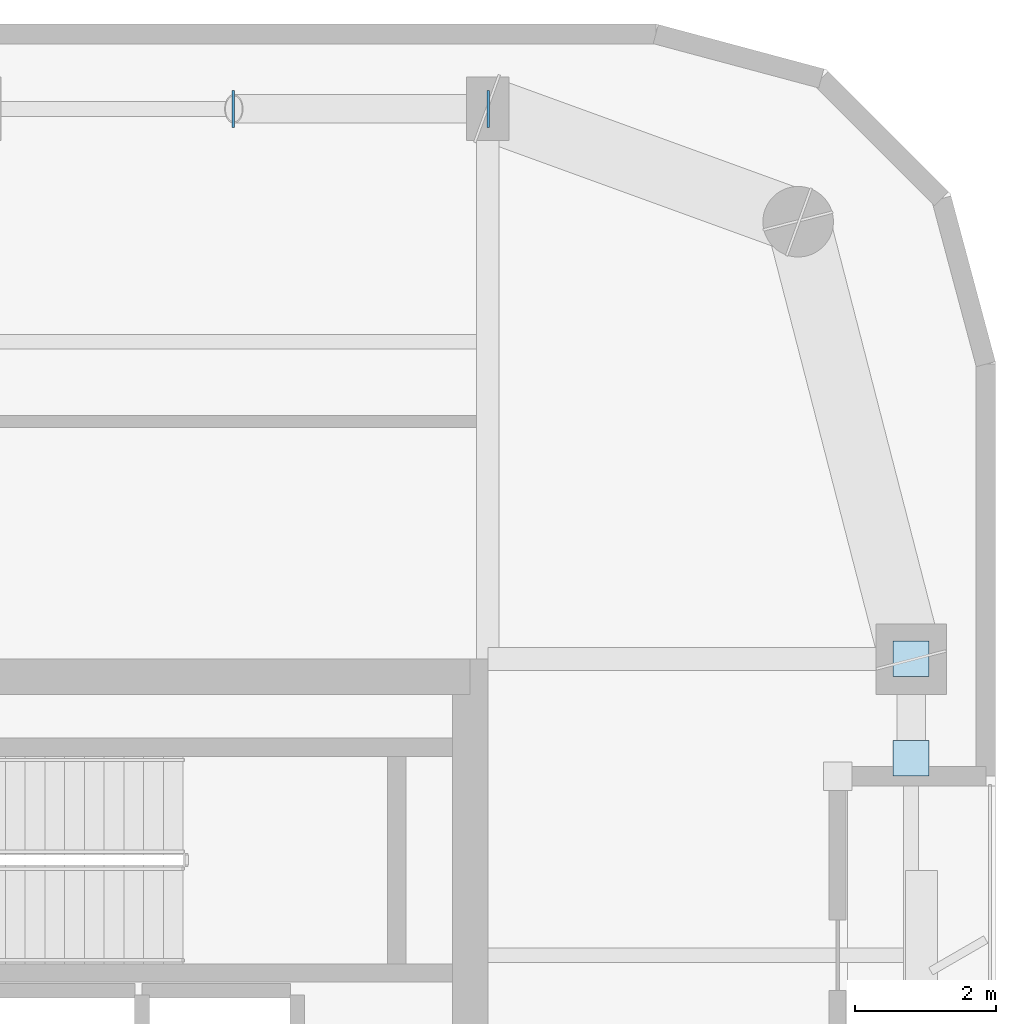
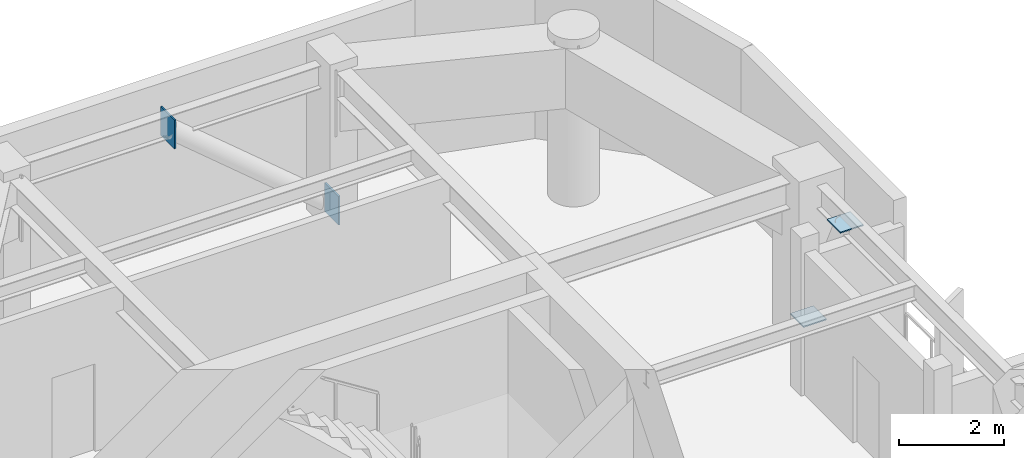
# One storey, part 9 of 15: 4 plates.
"""IFC4 building model written with IfcOpenShell, lengths in metres."""

from ifc_helpers import new_model, si_unit, direction, frame, origin, origin_2d, place, context, subcontext, project, spatial, rectangle, extrude, material, layer, layer_set, type_object, element, save


model = new_model("IFC4")

# Units and contexts
model_context = context("Model", 3, precision=1e-05, world=origin(), true_north=direction((0.0, 1.0)))
body_context = subcontext(model_context, "Body", "Model", "MODEL_VIEW")
ifc_project = project(units=[si_unit("LENGTHUNIT", "METRE"), si_unit("AREAUNIT", "SQUARE_METRE"), si_unit("VOLUMEUNIT", "CUBIC_METRE"), si_unit("PLANEANGLEUNIT", "RADIAN"), si_unit("MASSUNIT", "GRAM", prefix="KILO")], contexts=[model_context])

# Site, building, storey
site_placement = place(None, origin())
site = spatial("IfcSite", under=ifc_project, at=site_placement, CompositionType="ELEMENT")
building_placement = place(site_placement, origin())
building = spatial("IfcBuilding", under=site, at=building_placement, Name="Kiyonajd Concourse Tower", CompositionType="ELEMENT")
storey_placement = place(building_placement, frame((0.0, 0.0, 290.10009765625)))
storey = spatial("IfcBuildingStorey", under=building, at=storey_placement, Name="L73", CompositionType="ELEMENT", Elevation=290.10009765625)

# Plates
ifc_material = material(Name="Steel ASTM A572 Grade 50", Category="steel")
ifc_layer = layer(ifc_material, 0.028076171875)
ifc_layer_set = layer_set([ifc_layer], Name="Steel ASTM A572 Grade 50")
plate_type = type_object("IfcPlateType", Name="PL-CAP-450", PredefinedType="USERDEFINED", material=ifc_layer_set)
for number, where, z_axis, x_axis, name in (
    (1, (63.6083984375, 52.199951171875, -0.042724609375), (0.0, 0.0, 1.0), (1.0, 0.0, 0.0), "L73 Hollow Brace End Cap Plate PBN"),
    (2, (59.99169921875, 52.199951171875, 3.00146484375), (0.0, 0.0, 1.0), (-1.0, 0.0, 0.0), "L73 Hollow Brace Top Cap Plate PBN"),
):
    element("IfcPlate", number, at=place(storey_placement, frame(where, z_axis=z_axis, x_axis=x_axis)), inside=storey, type_object=plate_type, Name=name, ObjectType="CAP PLATE", PredefinedType="USERDEFINED", context=body_context, shape_type="SweptSolid", body=[
        extrude(rectangle(XDim=0.035888671875, YDim=0.52587890625, at=origin_2d()), origin(), (0.0, 0.0, 1.0), 0.6708984375),
    ])
for number, where, z_axis, x_axis, name in (
    (3, (69.60009765625, 44.404541015625, 0.27587890625), (0.0, 0.0, 1.0), (1.0, 0.0, 0.0), "L73 Hollow Brace End Cap Plate PBE"),
    (4, (69.60009765625, 42.995361328125, 3.32568359375), (0.0, 0.0, 1.0), (1.0, 0.0, 0.0), "L73 Hollow Brace Top Cap Plate PBE"),
):
    element("IfcPlate", number, at=place(storey_placement, frame(where, z_axis=z_axis, x_axis=x_axis)), inside=storey, type_object=plate_type, Name=name, ObjectType="CAP PLATE", PredefinedType="USERDEFINED", context=body_context, shape_type="SweptSolid", body=[
        extrude(rectangle(XDim=0.506103515625, YDim=0.506103515625, at=origin_2d()), origin(), (0.0, 0.0, 1.0), 0.028076171875),
    ])

save(model, "model.ifc")
